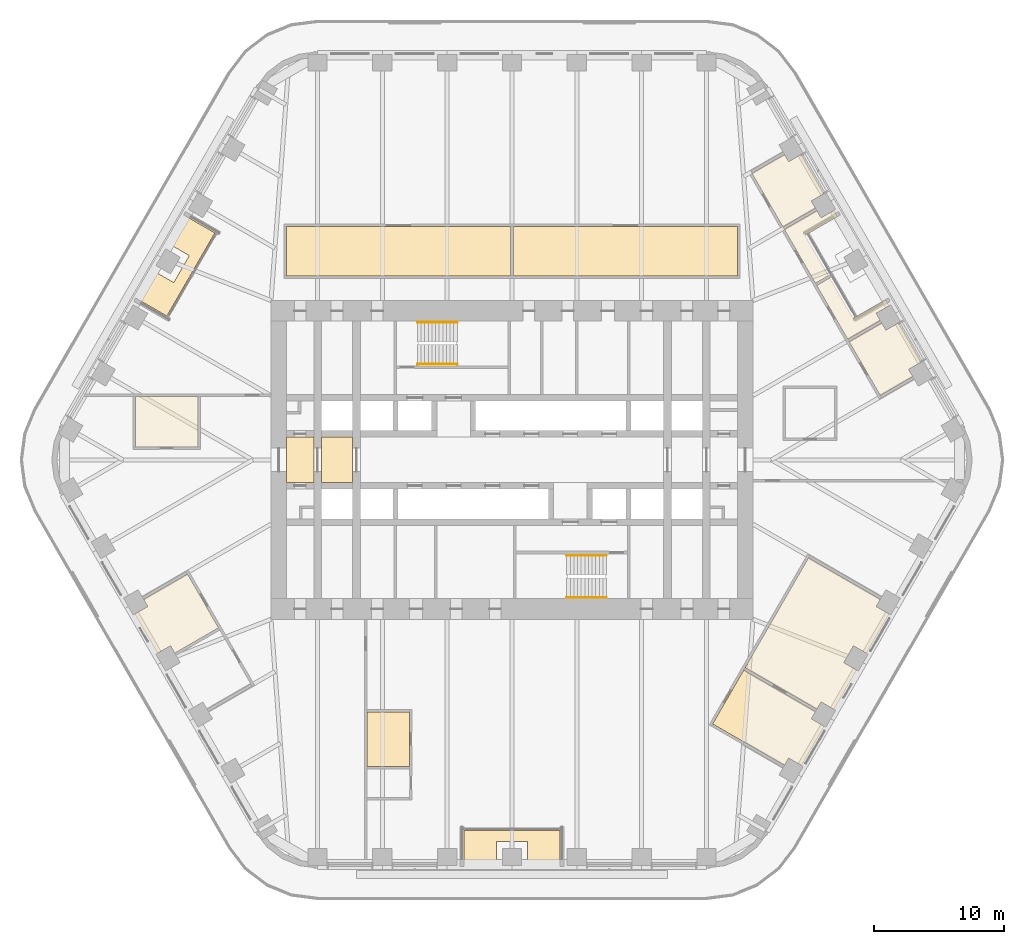
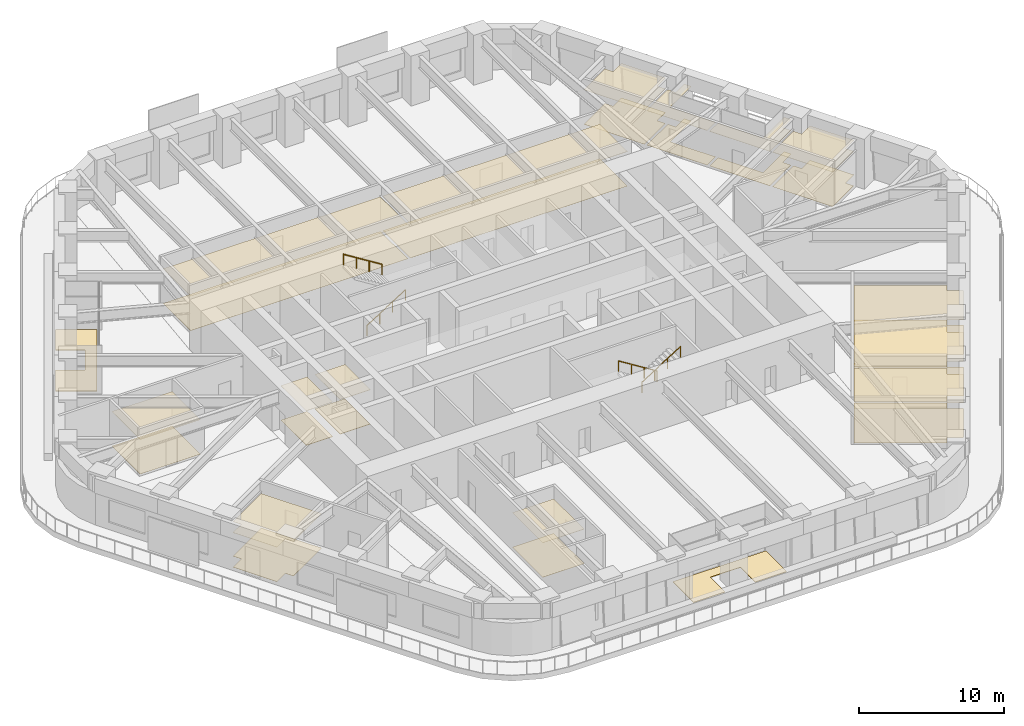
# One storey, part 22 of 24: 8 coverings, 4 railings.
"""IFC4 building model written with IfcOpenShell, lengths in metres."""

from ifc_helpers import new_model, si_unit, direction, frame, origin, origin_2d, place, context, subcontext, project, spatial, polyline, circle, outline, extrude, material, layer, layer_set, type_object, element, save


model = new_model("IFC4")

# Units and contexts
model_context = context("Model", 3, precision=1e-05, world=origin(), true_north=direction((0.0, 1.0)))
body_context = subcontext(model_context, "Body", "Model", "MODEL_VIEW")
ifc_project = project(units=[si_unit("LENGTHUNIT", "METRE"), si_unit("AREAUNIT", "SQUARE_METRE"), si_unit("VOLUMEUNIT", "CUBIC_METRE"), si_unit("PLANEANGLEUNIT", "RADIAN"), si_unit("MASSUNIT", "GRAM", prefix="KILO")], contexts=[model_context])

# Site, building, storey
site_placement = place(None, origin())
site = spatial("IfcSite", under=ifc_project, at=site_placement, CompositionType="ELEMENT")
building_placement = place(site_placement, origin())
building = spatial("IfcBuilding", under=site, at=building_placement, Name="Tarfa Lantern Tower", CompositionType="ELEMENT")
storey_placement = place(building_placement, frame((0.0, 0.0, 186.699951171875)))
storey = spatial("IfcBuildingStorey", under=building, at=storey_placement, Name="L42", CompositionType="ELEMENT", Elevation=186.699951171875)

# Coverings
ifc_material_1 = material(Name="Mineral fibre acoustic tile on suspension grid", Category="finish")
ifc_layer_1 = layer(ifc_material_1, 0.02001953125)
ifc_layer_set_1 = layer_set([ifc_layer_1], Name="CL1 ACOUSTIC TILE CEILING 20")
covering_type_1 = type_object("IfcCoveringType", Name="CL1 ACOUSTIC TILE CEILING 20", PredefinedType="CEILING", material=ifc_layer_set_1)
covering_1_placement = place(storey_placement, frame((0.0, 0.0, 2.900146484375)))
element("IfcCovering", 1, at=covering_1_placement, inside=storey, type_object=covering_type_1, Name="Ceiling L42 CL1", PredefinedType="CEILING", context=body_context, shape_type="SweptSolid", body=[
    extrude(outline(polyline([(-17.39990234375, 18.0), (-0.10009765625, 18.0), (-0.10009765625, 14.199951171875), (-17.39990234375, 14.199951171875), (-17.39990234375, 18.0)])), origin(), (0.0, 0.0, 1.0), 0.02001953125),
    extrude(outline(polyline([(26.021240234375, 9.130126953125), (28.53271484375, 10.580078125), (28.857666015625, 10.01708984375), (29.853515625, 10.592041015625), (31.60546875, 7.557861328125), (30.609375, 6.98291015625), (30.9345703125, 6.419921875), (28.423095703125, 4.969970703125), (26.021240234375, 9.130126953125)])), origin(), (0.0, 0.0, 1.0), 0.02001953125),
    extrude(outline(polyline([(25.921142578125, 9.30322265625), (23.519287109375, 13.46337890625), (24.51513671875, 14.038330078125), (26.317138671875, 10.91748046875), (28.82861328125, 12.367431640625), (29.103515625, 11.89111328125), (28.107666015625, 11.316162109375), (28.4326171875, 10.753173828125), (25.921142578125, 9.30322265625)])), origin(), (0.0, 0.0, 1.0), 0.02001953125),
    extrude(outline(polyline([(21.017333984375, 17.796630859375), (23.52880859375, 19.246826171875), (23.85400390625, 18.683837890625), (24.849853515625, 19.2587890625), (25.124755859375, 18.782470703125), (22.61328125, 17.33251953125), (24.415283203125, 14.211669921875), (23.419189453125, 13.63671875), (21.017333984375, 17.796630859375)])), origin(), (0.0, 0.0, 1.0), 0.02001953125),
    extrude(outline(polyline([(18.515625, 22.130126953125), (21.027099609375, 23.580078125), (21.35205078125, 23.01708984375), (22.347900390625, 23.592041015625), (24.099853515625, 20.557861328125), (23.10400390625, 19.98291015625), (23.428955078125, 19.419921875), (20.91748046875, 17.969970703125), (18.515625, 22.130126953125)])), origin(), (0.0, 0.0, 1.0), 0.02001953125),
    extrude(outline(polyline([(17.88623046875, -16.219970703125), (23.428955078125, -19.419921875), (23.10400390625, -19.98291015625), (24.099853515625, -20.557861328125), (22.347900390625, -23.592041015625), (21.35205078125, -23.01708984375), (21.027099609375, -23.580078125), (15.484375, -20.380126953125), (17.88623046875, -16.219970703125)])), origin(), (0.0, 0.0, 1.0), 0.02001953125),
    extrude(outline(polyline([(22.89013671875, -7.55322265625), (28.4326171875, -10.753173828125), (28.107666015625, -11.316162109375), (29.103515625, -11.89111328125), (27.351806640625, -14.925537109375), (26.355712890625, -14.3505859375), (25.605712890625, -15.6494140625), (26.601806640625, -16.224609375), (24.849853515625, -19.2587890625), (23.85400390625, -18.683837890625), (23.52880859375, -19.246826171875), (17.986328125, -16.046630859375), (22.89013671875, -7.55322265625)])), origin(), (0.0, 0.0, 1.0), 0.02001953125),
    extrude(outline(polyline([(-22.6533203125, -12.96337890625), (-26.03076171875, -14.913330078125), (-26.355712890625, -14.3505859375), (-27.351806640625, -14.925537109375), (-29.103515625, -11.89111328125), (-28.107666015625, -11.316162109375), (-28.4326171875, -10.753173828125), (-25.05517578125, -8.80322265625), (-22.6533203125, -12.96337890625)])), origin(), (0.0, 0.0, 1.0), 0.02001953125),
    extrude(outline(polyline([(-7.89990234375, -23.64990234375), (-11.199951171875, -23.64990234375), (-11.199951171875, -19.449951171875), (-7.89990234375, -19.449951171875), (-7.89990234375, -23.64990234375)])), origin(), (0.0, 0.0, 1.0), 0.02001953125),
    extrude(outline(polyline([(-29.047607421875, 1.0), (-29.047607421875, 4.89990234375), (-24.247802734375, 4.89990234375), (-24.247802734375, 1.0), (-29.047607421875, 1.0)])), origin(), (0.0, 0.0, 1.0), 0.02001953125),
    extrude(outline(polyline([(0.10009765625, 18.0), (17.39990234375, 18.0), (17.39990234375, 14.199951171875), (0.10009765625, 14.199951171875), (0.10009765625, 18.0)])), origin(), (0.0, 0.0, 1.0), 0.02001953125),
])
ifc_material_2 = material(Name="Powder-coated aluminium panel", Category="aluminium")
ifc_layer_2 = layer(ifc_material_2, 0.030029296875)
ifc_layer_set_2 = layer_set([ifc_layer_2], Name="CL3 METAL PANEL CEILING 30")
covering_type_2 = type_object("IfcCoveringType", Name="CL3 METAL PANEL CEILING 30", PredefinedType="CEILING", material=ifc_layer_set_2)
covering_2_placement = place(storey_placement, frame((0.0, 0.0, 2.900146484375)))
element("IfcCovering", 2, at=covering_2_placement, inside=storey, type_object=covering_type_2, Name="Ceiling L42-01", PredefinedType="CEILING", context=body_context, shape_type="SweptSolid", body=[
    extrude(outline(polyline([(-17.39990234375, -1.75), (-15.300048828125, -1.75), (-15.300048828125, 1.75), (-17.39990234375, 1.75), (-17.39990234375, -1.75)])), origin(), (0.0, 0.0, 1.0), 0.02978515625),
])
covering_3_placement = place(storey_placement, frame((0.0, 0.0, 2.900146484375)))
element("IfcCovering", 3, at=covering_3_placement, inside=storey, type_object=covering_type_2, Name="Ceiling L42-02", PredefinedType="CEILING", context=body_context, shape_type="SweptSolid", body=[
    extrude(outline(polyline([(-14.699951171875, -1.75), (-12.300048828125, -1.75), (-12.300048828125, 1.75), (-14.699951171875, 1.75), (-14.699951171875, -1.75)])), origin(), (0.0, 0.0, 1.0), 0.02978515625),
])
ifc_material_3 = material(Name="Nylon carpet tile", Category="finish")
ifc_layer_3 = layer(ifc_material_3, 0.010009765625)
ifc_layer_set_3 = layer_set([ifc_layer_3], Name="FL1 CARPET TILE 10")
covering_type_3 = type_object("IfcCoveringType", Name="FL1 CARPET TILE 10", PredefinedType="FLOORING", material=ifc_layer_set_3)
covering_4_placement = place(storey_placement, origin())
element("IfcCovering", 4, at=covering_4_placement, inside=storey, type_object=covering_type_3, Name="Floor finish L42 FL1", PredefinedType="FLOORING", context=body_context, shape_type="SweptSolid", body=[
    extrude(outline(polyline([(-17.39990234375, 18.0), (-0.10009765625, 18.0), (-0.10009765625, 14.199951171875), (-17.39990234375, 14.199951171875), (-17.39990234375, 18.0)])), origin(), (0.0, 0.0, 1.0), 0.010009765625),
    extrude(outline(polyline([(26.021240234375, 9.130126953125), (28.53271484375, 10.580078125), (28.857666015625, 10.01708984375), (29.853515625, 10.592041015625), (31.60546875, 7.557861328125), (30.609375, 6.98291015625), (30.9345703125, 6.419921875), (28.423095703125, 4.969970703125), (26.021240234375, 9.130126953125)])), origin(), (0.0, 0.0, 1.0), 0.010009765625),
    extrude(outline(polyline([(25.921142578125, 9.30322265625), (23.519287109375, 13.46337890625), (24.51513671875, 14.038330078125), (26.317138671875, 10.91748046875), (28.82861328125, 12.367431640625), (29.103515625, 11.89111328125), (28.107666015625, 11.316162109375), (28.4326171875, 10.753173828125), (25.921142578125, 9.30322265625)])), origin(), (0.0, 0.0, 1.0), 0.010009765625),
    extrude(outline(polyline([(21.017333984375, 17.796630859375), (23.52880859375, 19.246826171875), (23.85400390625, 18.683837890625), (24.849853515625, 19.2587890625), (25.124755859375, 18.782470703125), (22.61328125, 17.33251953125), (24.415283203125, 14.211669921875), (23.419189453125, 13.63671875), (21.017333984375, 17.796630859375)])), origin(), (0.0, 0.0, 1.0), 0.010009765625),
    extrude(outline(polyline([(18.515625, 22.130126953125), (21.027099609375, 23.580078125), (21.35205078125, 23.01708984375), (22.347900390625, 23.592041015625), (24.099853515625, 20.557861328125), (23.10400390625, 19.98291015625), (23.428955078125, 19.419921875), (20.91748046875, 17.969970703125), (18.515625, 22.130126953125)])), origin(), (0.0, 0.0, 1.0), 0.010009765625),
    extrude(outline(polyline([(17.88623046875, -16.219970703125), (23.428955078125, -19.419921875), (23.10400390625, -19.98291015625), (24.099853515625, -20.557861328125), (22.347900390625, -23.592041015625), (21.35205078125, -23.01708984375), (21.027099609375, -23.580078125), (15.484375, -20.380126953125), (17.88623046875, -16.219970703125)])), origin(), (0.0, 0.0, 1.0), 0.010009765625),
    extrude(outline(polyline([(22.89013671875, -7.55322265625), (28.4326171875, -10.753173828125), (28.107666015625, -11.316162109375), (29.103515625, -11.89111328125), (27.351806640625, -14.925537109375), (26.355712890625, -14.3505859375), (25.605712890625, -15.6494140625), (26.601806640625, -16.224609375), (24.849853515625, -19.2587890625), (23.85400390625, -18.683837890625), (23.52880859375, -19.246826171875), (17.986328125, -16.046630859375), (22.89013671875, -7.55322265625)])), origin(), (0.0, 0.0, 1.0), 0.010009765625),
    extrude(outline(polyline([(-22.6533203125, -12.96337890625), (-26.03076171875, -14.913330078125), (-26.355712890625, -14.3505859375), (-27.351806640625, -14.925537109375), (-29.103515625, -11.89111328125), (-28.107666015625, -11.316162109375), (-28.4326171875, -10.753173828125), (-25.05517578125, -8.80322265625), (-22.6533203125, -12.96337890625)])), origin(), (0.0, 0.0, 1.0), 0.010009765625),
    extrude(outline(polyline([(-7.89990234375, -23.64990234375), (-11.199951171875, -23.64990234375), (-11.199951171875, -19.449951171875), (-7.89990234375, -19.449951171875), (-7.89990234375, -23.64990234375)])), origin(), (0.0, 0.0, 1.0), 0.010009765625),
    extrude(outline(polyline([(-29.047607421875, 1.0), (-29.047607421875, 4.89990234375), (-24.247802734375, 4.89990234375), (-24.247802734375, 1.0), (-29.047607421875, 1.0)])), origin(), (0.0, 0.0, 1.0), 0.010009765625),
    extrude(outline(polyline([(0.10009765625, 18.0), (17.39990234375, 18.0), (17.39990234375, 14.199951171875), (0.10009765625, 14.199951171875), (0.10009765625, 18.0)])), origin(), (0.0, 0.0, 1.0), 0.010009765625),
])
ifc_material_4 = material(Name="Honed limestone flooring", Category="masonry")
ifc_layer_4 = layer(ifc_material_4, 0.030029296875)
ifc_layer_set_4 = layer_set([ifc_layer_4], Name="FL2 STONE FLOORING 30")
covering_type_4 = type_object("IfcCoveringType", Name="FL2 STONE FLOORING 30", PredefinedType="FLOORING", material=ifc_layer_set_4)
covering_5_placement = place(storey_placement, origin())
element("IfcCovering", 5, at=covering_5_placement, inside=storey, type_object=covering_type_4, Name="Floor finish L42-01", PredefinedType="FLOORING", context=body_context, shape_type="SweptSolid", body=[
    extrude(outline(polyline([(-17.39990234375, -1.75), (-15.300048828125, -1.75), (-15.300048828125, 1.75), (-17.39990234375, 1.75), (-17.39990234375, -1.75)])), origin(), (0.0, 0.0, 1.0), 0.030029296875),
])
covering_6_placement = place(storey_placement, origin())
element("IfcCovering", 6, at=covering_6_placement, inside=storey, type_object=covering_type_4, Name="Floor finish L42-02", PredefinedType="FLOORING", context=body_context, shape_type="SweptSolid", body=[
    extrude(outline(polyline([(-14.699951171875, -1.75), (-12.300048828125, -1.75), (-12.300048828125, 1.75), (-14.699951171875, 1.75), (-14.699951171875, -1.75)])), origin(), (0.0, 0.0, 1.0), 0.030029296875),
])

# Railings
ifc_material_5 = material(Name="Stainless steel", Category="steel")
railing_type = type_object("IfcRailingType", Name="HR1 HANDRAIL 900", PredefinedType="HANDRAIL", material=ifc_material_5)
railing_1_placement = place(storey_placement, frame((-7.300048828125, 7.3798828125, 0.175048828125)))
element("IfcRailing", 7, at=railing_1_placement, inside=storey, type_object=railing_type, Name="Handrail 1", PredefinedType="HANDRAIL", context=body_context, shape_type="SweptSolid", body=[
    extrude(circle(Radius=0.02392578125, at=origin_2d()), frame((0.0, 0.0, 0.8759765625), z_axis=(0.847998304005, 0.0, 0.529998940003), x_axis=(0.0, 1.0, 0.0)), (0.0, 0.0, 1.0), 3.632080078125),
    extrude(circle(Radius=0.02099609375, at=origin_2d()), frame((0.0, 0.0, 0.0), z_axis=(0.0, 0.0, 1.0), x_axis=(0.0, 1.0, 0.0)), (0.0, 0.0, 1.0), 0.851806640625),
    extrude(circle(Radius=0.02099609375, at=origin_2d()), frame((1.026611328125, 0.0, 0.6416015625), z_axis=(0.0, 0.0, 1.0), x_axis=(0.0, 1.0, 0.0)), (0.0, 0.0, 1.0), 0.851806640625),
    extrude(circle(Radius=0.02099609375, at=origin_2d()), frame((2.053466796875, 0.0, 1.283447265625), z_axis=(0.0, 0.0, 1.0), x_axis=(0.0, 1.0, 0.0)), (0.0, 0.0, 1.0), 0.851806640625),
    extrude(circle(Radius=0.02099609375, at=origin_2d()), frame((3.080078125, 0.0, 1.925048828125), z_axis=(0.0, 0.0, 1.0), x_axis=(0.0, 1.0, 0.0)), (0.0, 0.0, 1.0), 0.851806640625),
])
railing_2_placement = place(storey_placement, frame((-4.219970703125, 10.6201171875, 2.275146484375)))
element("IfcRailing", 8, at=railing_2_placement, inside=storey, type_object=railing_type, Name="Handrail 2", PredefinedType="HANDRAIL", context=body_context, shape_type="SweptSolid", body=[
    extrude(circle(Radius=0.02392578125, at=origin_2d()), frame((0.0, 0.0, 0.8759765625), z_axis=(-0.848028513186, 0.0, 0.529950602248), x_axis=(0.0, -1.0, 0.0)), (0.0, 0.0, 1.0), 3.632080078125),
    extrude(circle(Radius=0.02099609375, at=origin_2d()), frame((0.0, 0.0, 0.0), z_axis=(0.0, 0.0, 1.0), x_axis=(0.0, -1.0, 0.0)), (0.0, 0.0, 1.0), 0.851806640625),
    extrude(circle(Radius=0.02099609375, at=origin_2d()), frame((-1.026611328125, 0.0, 0.6416015625), z_axis=(0.0, 0.0, 1.0), x_axis=(0.0, -1.0, 0.0)), (0.0, 0.0, 1.0), 0.851806640625),
    extrude(circle(Radius=0.02099609375, at=origin_2d()), frame((-2.053466796875, 0.0, 1.283203125), z_axis=(0.0, 0.0, 1.0), x_axis=(0.0, -1.0, 0.0)), (0.0, 0.0, 1.0), 0.851806640625),
    extrude(circle(Radius=0.02099609375, at=origin_2d()), frame((-3.080078125, 0.0, 1.9248046875), z_axis=(0.0, 0.0, 1.0), x_axis=(0.0, -1.0, 0.0)), (0.0, 0.0, 1.0), 0.851806640625),
])
railing_3_placement = place(storey_placement, frame((7.300048828125, -7.3798828125, 0.175048828125)))
element("IfcRailing", 9, at=railing_3_placement, inside=storey, type_object=railing_type, Name="Handrail 1", PredefinedType="HANDRAIL", context=body_context, shape_type="SweptSolid", body=[
    extrude(circle(Radius=0.02392578125, at=origin_2d()), frame((0.0, 0.0, 0.8759765625), z_axis=(-0.847998304005, 0.0, 0.529998940003), x_axis=(0.0, -1.0, 0.0)), (0.0, 0.0, 1.0), 3.632080078125),
    extrude(circle(Radius=0.02099609375, at=origin_2d()), frame((0.0, 0.0, 0.0), z_axis=(0.0, 0.0, 1.0), x_axis=(0.0, -1.0, 0.0)), (0.0, 0.0, 1.0), 0.851806640625),
    extrude(circle(Radius=0.02099609375, at=origin_2d()), frame((-1.026611328125, 0.0, 0.6416015625), z_axis=(0.0, 0.0, 1.0), x_axis=(0.0, -1.0, 0.0)), (0.0, 0.0, 1.0), 0.851806640625),
    extrude(circle(Radius=0.02099609375, at=origin_2d()), frame((-2.053466796875, 0.0, 1.283447265625), z_axis=(0.0, 0.0, 1.0), x_axis=(0.0, -1.0, 0.0)), (0.0, 0.0, 1.0), 0.851806640625),
    extrude(circle(Radius=0.02099609375, at=origin_2d()), frame((-3.080078125, 0.0, 1.925048828125), z_axis=(0.0, 0.0, 1.0), x_axis=(0.0, -1.0, 0.0)), (0.0, 0.0, 1.0), 0.851806640625),
])
railing_4_placement = place(storey_placement, frame((4.219970703125, -10.6201171875, 2.275146484375)))
element("IfcRailing", 10, at=railing_4_placement, inside=storey, type_object=railing_type, Name="Handrail 2", PredefinedType="HANDRAIL", context=body_context, shape_type="SweptSolid", body=[
    extrude(circle(Radius=0.02392578125, at=origin_2d()), frame((0.0, 0.0, 0.8759765625), z_axis=(0.848028513186, 0.0, 0.529950602248), x_axis=(0.0, 1.0, 0.0)), (0.0, 0.0, 1.0), 3.632080078125),
    extrude(circle(Radius=0.02099609375, at=origin_2d()), frame((0.0, 0.0, 0.0), z_axis=(0.0, 0.0, 1.0), x_axis=(0.0, 1.0, 0.0)), (0.0, 0.0, 1.0), 0.851806640625),
    extrude(circle(Radius=0.02099609375, at=origin_2d()), frame((1.026611328125, 0.0, 0.6416015625), z_axis=(0.0, 0.0, 1.0), x_axis=(0.0, 1.0, 0.0)), (0.0, 0.0, 1.0), 0.851806640625),
    extrude(circle(Radius=0.02099609375, at=origin_2d()), frame((2.053466796875, 0.0, 1.283203125), z_axis=(0.0, 0.0, 1.0), x_axis=(0.0, 1.0, 0.0)), (0.0, 0.0, 1.0), 0.851806640625),
    extrude(circle(Radius=0.02099609375, at=origin_2d()), frame((3.080078125, 0.0, 1.9248046875), z_axis=(0.0, 0.0, 1.0), x_axis=(0.0, 1.0, 0.0)), (0.0, 0.0, 1.0), 0.851806640625),
])

# Coverings
ifc_material_6 = material(Name="Porcelain pavers on pedestals", Category="ceramic")
ifc_layer_5 = layer(ifc_material_6, 0.0400390625)
ifc_layer_set_5 = layer_set([ifc_layer_5], Name="LP1 LOGGIA PAVING 40")
covering_type_5 = type_object("IfcCoveringType", Name="LP1 LOGGIA PAVING 40", PredefinedType="FLOORING", material=ifc_layer_set_5)
covering_7_placement = place(storey_placement, origin())
element("IfcCovering", 11, at=covering_7_placement, inside=storey, type_object=covering_type_5, Name="Loggia paving NW", PredefinedType="FLOORING", context=body_context, shape_type="SweptSolid", body=[
    extrude(outline(polyline([(-25.427978515625, 18.95751953125), (-22.933837890625, 17.517578125), (-26.637451171875, 11.1025390625), (-29.131591796875, 12.54248046875), (-27.8798828125, 14.710693359375), (-26.1044921875, 13.685791015625), (-24.904541015625, 15.76416015625), (-26.6796875, 16.789306640625), (-25.427978515625, 18.95751953125)])), origin(), (0.0, 0.0, 1.0), 0.0400390625),
])
covering_8_placement = place(storey_placement, origin())
element("IfcCovering", 12, at=covering_8_placement, inside=storey, type_object=covering_type_5, Name="Loggia paving S", PredefinedType="FLOORING", context=body_context, shape_type="SweptSolid", body=[
    extrude(outline(polyline([(-3.70361328125, -31.5), (-3.70361328125, -28.6201171875), (3.70361328125, -28.6201171875), (3.70361328125, -31.5), (1.199951171875, -31.5), (1.199951171875, -29.449951171875), (-1.199951171875, -29.449951171875), (-1.199951171875, -31.5), (-3.70361328125, -31.5)])), origin(), (0.0, 0.0, 1.0), 0.0400390625),
])

save(model, "model.ifc")
